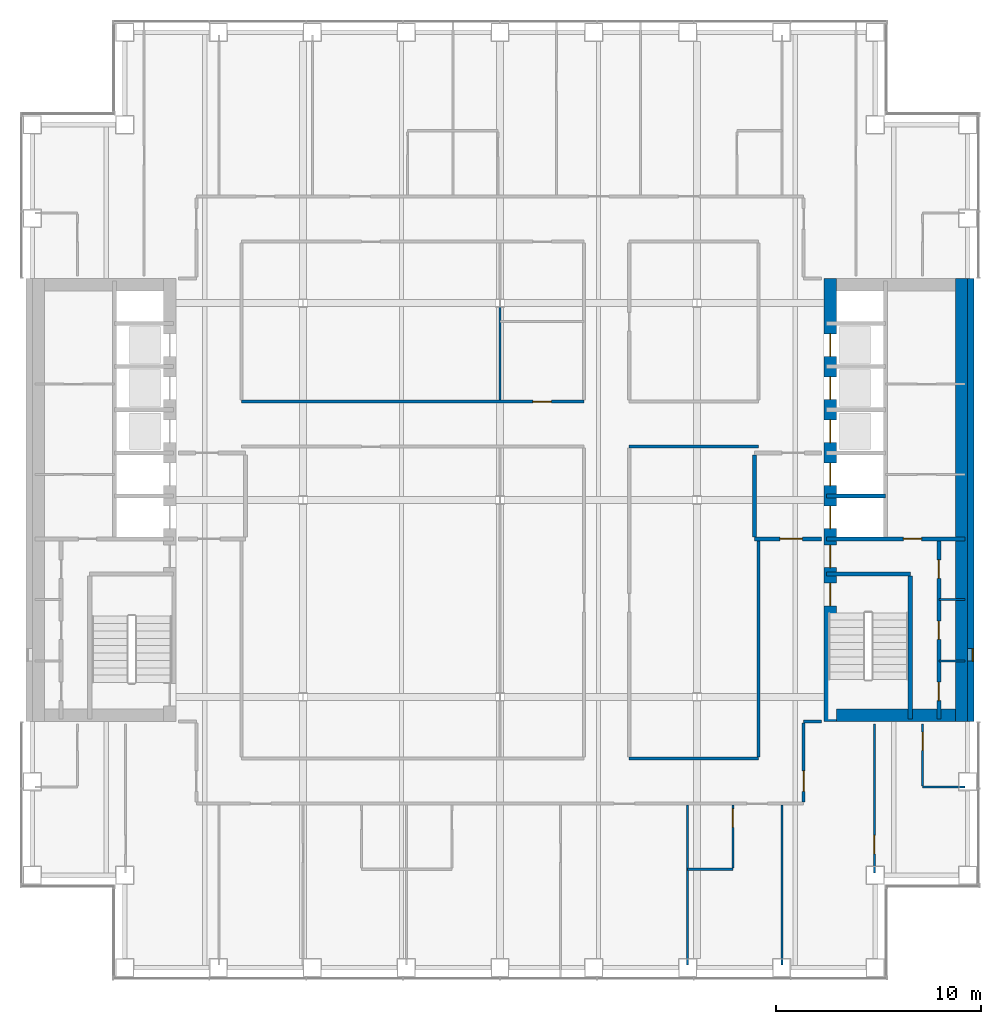
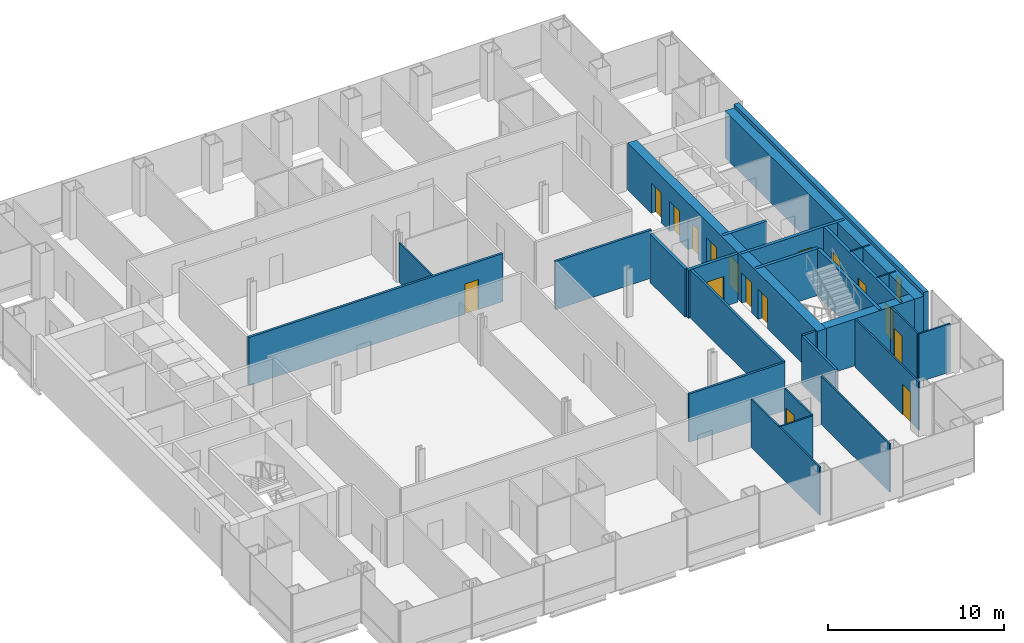
# One storey, part 12 of 16: 27 walls, 17 doors, 1 window, 18 openings.
"""IFC4 building model written with IfcOpenShell, lengths in metres."""

import ifcopenshell
import ifcopenshell.guid

model = None  # the IFC model being written
_history = None  # IfcOwnerHistory: only IFC2X3 demands one
_inside = {}  # id of a spatial element -> (the spatial element, [elements in it])
_under = {}  # id of a project, library or spatial element -> (it, [spatial elements below it])
_declared = {}  # id of a project -> (the project, [libraries it declares])
_typed = {}  # id of a type object -> (the type object, [elements of that type])
_made_of = {}  # id of a material, layer set ... -> (it, [elements and type objects made of it])


def new_model(schema):
    """Start an empty IFC model of exactly this schema.

    Asked for "IFC4X3", IfcOpenShell would pick the latest addendum, in which some entities
    have other attributes; the version numbers below select the first issue.
    IFC2X3 requires an IfcOwnerHistory on every rooted entity: one is made here for all.
    """
    global model, _history
    if schema == "IFC4X3":
        model = ifcopenshell.file(schema_version=(4, 3, 0, 0))
    else:
        model = ifcopenshell.file(schema=schema)
    _inside.clear()
    _under.clear()
    _declared.clear()
    _typed.clear()
    _made_of.clear()
    _history = None
    if model.schema == "IFC2X3":
        org = make("IfcOrganization", Name="unknown")
        user = make(
            "IfcPersonAndOrganization",
            ThePerson=make("IfcPerson", FamilyName="unknown"),
            TheOrganization=org,
        )
        app = make(
            "IfcApplication",
            ApplicationDeveloper=org,
            Version="unknown",
            ApplicationFullName="unknown",
            ApplicationIdentifier="unknown",
        )
        _history = make(
            "IfcOwnerHistory",
            OwningUser=user,
            OwningApplication=app,
            ChangeAction="ADDED",
            CreationDate=0,
        )
    return model


def make(cls, **values):
    """One entity of the class cls with the attributes given. An attribute that is None is left unset."""
    return model.create_entity(
        cls, **{name: value for name, value in values.items() if value is not None}
    )


def rooted(cls, **values):
    """An entity with a GlobalId (a new one), such as an element, a storey or a relation."""
    return make(cls, GlobalId=ifcopenshell.guid.new(), OwnerHistory=_history, **values)


def si_unit(unit_type, name, prefix=None):
    """IfcSIUnit, for example si_unit("LENGTHUNIT", "METRE", prefix="MILLI")."""
    return make("IfcSIUnit", UnitType=unit_type, Prefix=prefix, Name=name)


def assignment(units):
    """IfcUnitAssignment: the units of a project."""
    return None if units is None else make("IfcUnitAssignment", Units=units)


def point(xyz):
    """IfcCartesianPoint."""
    return None if xyz is None else make("IfcCartesianPoint", Coordinates=xyz)


def direction(xyz):
    """IfcDirection."""
    return None if xyz is None else make("IfcDirection", DirectionRatios=xyz)


def frame(location, z_axis=None, x_axis=None):
    """IfcAxis2Placement3D, a coordinate frame: its origin and axes. An axis left out is left unset."""
    return make(
        "IfcAxis2Placement3D",
        Location=point(location),
        Axis=direction(z_axis),
        RefDirection=direction(x_axis),
    )


def frame_2d(location, x_axis=None):
    """IfcAxis2Placement2D, a coordinate frame in the plane: its origin and x axis."""
    return make(
        "IfcAxis2Placement2D", Location=point(location), RefDirection=direction(x_axis)
    )


def origin():
    """The frame at (0, 0, 0) with its axes left unset."""
    return frame((0.0, 0.0, 0.0))


def place(relative_to, where):
    """IfcLocalPlacement: puts the frame where relative to a parent placement (None: the world)."""
    return make(
        "IfcLocalPlacement", PlacementRelTo=relative_to, RelativePlacement=where
    )


def context(
    kind, dimensions, precision=None, world=None, true_north=None, identifier=None
):
    """IfcGeometricRepresentationContext, for example the 3D "Model" context."""
    return make(
        "IfcGeometricRepresentationContext",
        ContextIdentifier=identifier,
        ContextType=kind,
        CoordinateSpaceDimension=dimensions,
        Precision=precision,
        WorldCoordinateSystem=world,
        TrueNorth=true_north,
    )


def subcontext(parent, identifier, kind, view, scale=None):
    """IfcGeometricRepresentationSubContext, for example "Body" below "Model"."""
    return make(
        "IfcGeometricRepresentationSubContext",
        ContextIdentifier=identifier,
        ContextType=kind,
        ParentContext=parent,
        TargetScale=scale,
        TargetView=view,
    )


def project(units=None, contexts=None):
    """IfcProject with its units and contexts."""
    return rooted(
        "IfcProject",
        Name="project",
        RepresentationContexts=contexts,
        UnitsInContext=assignment(units),
    )


def spatial(cls, under=None, at=None, **own):
    """A site, building, storey or space (cls), placed at a placement, below another one or the project."""
    s = rooted(cls, ObjectPlacement=at, **own)
    if under is not None:
        _under.setdefault(under.id(), (under, []))[1].append(s)
    return s


def profile(cls, at=None, kind="AREA", **sizes):
    """A parametric profile (cls). Its sizes go by their IFC names, for example OverallWidth=200.0."""
    return make(cls, ProfileType=kind, Position=at, **sizes)


def rectangle(**sizes):
    """IfcRectangleProfileDef."""
    return profile("IfcRectangleProfileDef", **sizes)


def extrude(swept, where, along, depth):
    """IfcExtrudedAreaSolid: the profile swept, set in the frame where, extruded along a direction by depth."""
    return make(
        "IfcExtrudedAreaSolid",
        SweptArea=swept,
        Position=where,
        ExtrudedDirection=direction(along),
        Depth=depth,
    )


def shape(context_of_items, identifier, shape_type, items):
    """IfcShapeRepresentation: the items that make up one representation, for example the "Body"."""
    return make(
        "IfcShapeRepresentation",
        ContextOfItems=context_of_items,
        RepresentationIdentifier=identifier,
        RepresentationType=shape_type,
        Items=items,
    )


def material(Name=None, Category=None):
    """IfcMaterial."""
    return make("IfcMaterial", Name=Name, Category=Category)


def layer(
    of_material, thickness, ventilated=None, Name=None, Category=None, Priority=None
):
    """IfcMaterialLayer: one layer of a wall or slab, of a material (None: an air gap)."""
    return make(
        "IfcMaterialLayer",
        Material=of_material,
        LayerThickness=thickness,
        IsVentilated=ventilated,
        Name=Name,
        Category=Category,
        Priority=Priority,
    )


def layer_set(layers, Name=None):
    """IfcMaterialLayerSet."""
    return make("IfcMaterialLayerSet", MaterialLayers=layers, LayerSetName=Name)


def made_of(thing, what):
    """Note that an element or type object is made of a material, layer set ...; save() writes the relation."""
    if what is not None:
        _made_of.setdefault(what.id(), (what, []))[1].append(thing)
    return thing


def type_object(cls, material=None, **own):
    """A type object (cls), such as IfcWallType, which elements share."""
    return made_of(rooted(cls, **own), material)


def element(
    cls,
    number,
    at=None,
    inside=None,
    cuts=None,
    type_object=None,
    material=None,
    context=None,
    identifier="Body",
    shape_type=None,
    held_by="IfcProductDefinitionShape",
    body=None,
    shapes=None,
    **own,
):
    """One element of the class cls, such as IfcWall. Its Tag is "e" and its number.

    at: its placement. inside: the storey or other place that contains it. cuts: it is an
    opening in that element (IfcRelVoidsElement). A single representation is given by context,
    identifier, shape_type and body (its items); several are given by shapes. held_by: the class
    of the entity that holds the representations. save() writes the other relations.
    """
    e = rooted(cls, Tag="e%d" % number, ObjectPlacement=at, **own)
    if body is not None:
        shapes = [shape(context, identifier, shape_type, body)]
    if shapes is not None:
        e.Representation = make(held_by, Representations=shapes)
    if inside is not None:
        _inside.setdefault(inside.id(), (inside, []))[1].append(e)
    if cuts is not None:
        rooted(
            "IfcRelVoidsElement", RelatingBuildingElement=cuts, RelatedOpeningElement=e
        )
    if type_object is not None:
        _typed.setdefault(type_object.id(), (type_object, []))[1].append(e)
    return made_of(e, material)


def fill(opening, filler):
    """IfcRelFillsElement: the door or window that sits in an opening."""
    return rooted(
        "IfcRelFillsElement",
        RelatingOpeningElement=opening,
        RelatedBuildingElement=filler,
    )


def aggregate(whole, parts):
    """IfcRelAggregates: a whole, such as a stair, and the parts it consists of."""
    return rooted("IfcRelAggregates", RelatingObject=whole, RelatedObjects=parts)


def save(model, path):
    """Write the relations noted so far, then the file.

    IfcRelAggregates (storeys below a building ...), IfcRelContainedInSpatialStructure (elements
    in a storey), IfcRelDefinesByType, IfcRelAssociatesMaterial and IfcRelDeclares: one each for
    every whole, place, type object, material and project.
    """
    for whole, parts in _under.values():
        aggregate(whole, parts)
    for where, things in _inside.values():
        rooted(
            "IfcRelContainedInSpatialStructure",
            RelatedElements=things,
            RelatingStructure=where,
        )
    for kind, things in _typed.values():
        rooted("IfcRelDefinesByType", RelatedObjects=things, RelatingType=kind)
    for what, things in _made_of.values():
        rooted("IfcRelAssociatesMaterial", RelatedObjects=things, RelatingMaterial=what)
    for by, libraries in _declared.values():
        rooted("IfcRelDeclares", RelatingContext=by, RelatedDefinitions=libraries)
    model.write(path)


model = new_model("IFC4")

# Units and contexts
model_context = context("Model", 3, precision=1e-05, world=origin(), true_north=direction((0.0, 1.0)))
body_context = subcontext(model_context, "Body", "Model", "MODEL_VIEW")
ifc_project = project(units=[si_unit("LENGTHUNIT", "METRE"), si_unit("AREAUNIT", "SQUARE_METRE"), si_unit("VOLUMEUNIT", "CUBIC_METRE"), si_unit("PLANEANGLEUNIT", "RADIAN"), si_unit("MASSUNIT", "GRAM", prefix="KILO")], contexts=[model_context])

# Site, building, storey
site_placement = place(None, origin())
site = spatial("IfcSite", under=ifc_project, at=site_placement, CompositionType="ELEMENT")
building_placement = place(site_placement, origin())
building = spatial("IfcBuilding", under=site, at=building_placement, Name="Cobrizo Arcos Hotel Tower", CompositionType="ELEMENT")
storey_placement = place(building_placement, frame((0.0, 0.0, 113.5)))
storey = spatial("IfcBuildingStorey", under=building, at=storey_placement, Name="L28", CompositionType="ELEMENT", Elevation=113.5)

# Walls
ifc_material_1 = material(Name="Gypsum board partition")
ifc_layer_1 = layer(ifc_material_1, 0.14990234375)
ifc_layer_set_1 = layer_set([ifc_layer_1], Name="Corridor wall EI 60 150")
wall_type_1 = type_object("IfcWallType", Name="Corridor wall EI 60 150", PredefinedType="PARTITIONING", material=ifc_layer_set_1)
wall_1_placement = place(storey_placement, frame((6.300048828125, -12.60009765625, 0.0), z_axis=(0.0, 0.0, 1.0), x_axis=(1.0, 0.0, 0.0)))
element("IfcWall", 1, at=wall_1_placement, inside=storey, type_object=wall_type_1, Name="Partition 007", PredefinedType="PARTITIONING", context=body_context, shape_type="SweptSolid", body=[
    extrude(rectangle(XDim=6.300048828125, YDim=0.14990234375, at=frame_2d((3.14990234375, 0.0))), origin(), (0.0, 0.0, 1.0), 3.35009765625),
])
wall_2_placement = place(storey_placement, frame((14.800048828125, -10.800048828125, 0.0), z_axis=(0.0, 0.0, 1.0), x_axis=(1.0, 0.0, 0.0)))
element("IfcWall", 2, at=wall_2_placement, inside=storey, type_object=wall_type_1, Name="Partition 009", PredefinedType="PARTITIONING", context=body_context, shape_type="SweptSolid", body=[
    extrude(rectangle(XDim=0.8798828125, YDim=0.14990234375, at=frame_2d((0.43994140625, 0.0))), origin(), (0.0, 0.0, 1.0), 3.35009765625),
])
wall_3_placement = place(storey_placement, frame((6.300048828125, 2.60009765625, 0.0), z_axis=(0.0, 0.0, 1.0), x_axis=(1.0, 0.0, 0.0)))
element("IfcWall", 3, at=wall_3_placement, inside=storey, type_object=wall_type_1, Name="Partition 029", PredefinedType="PARTITIONING", context=body_context, shape_type="SweptSolid", body=[
    extrude(rectangle(XDim=6.300048828125, YDim=0.14990234375, at=frame_2d((3.14990234375, 0.0))), origin(), (0.0, 0.0, 1.0), 3.35009765625),
])

# Wall, opening, door
wall_4_placement = place(storey_placement, frame((-12.60009765625, 4.800048828125, 0.0), z_axis=(0.0, 0.0, 1.0), x_axis=(1.0, 0.0, 0.0)))
wall_4 = element("IfcWall", 4, at=wall_4_placement, inside=storey, type_object=wall_type_1, Name="Partition 032", PredefinedType="PARTITIONING", context=body_context, shape_type="SweptSolid", body=[
    extrude(rectangle(XDim=16.7001953125, YDim=0.14990234375, at=frame_2d((8.35009765625, 0.0))), origin(), (0.0, 0.0, 1.0), 3.35009765625),
])
opening_1_placement = place(wall_4_placement, frame((14.199951171875, 0.0, 0.0)))
opening_1 = element("IfcOpeningElement", 5, at=opening_1_placement, cuts=wall_4, Name="Opening ED-13", PredefinedType="OPENING", context=body_context, shape_type="SweptSolid", body=[
    extrude(rectangle(XDim=0.89990234375, YDim=2.10009765625, at=frame_2d((0.449951171875, 1.050048828125))), frame((0.0, 0.0869140625, 0.0), z_axis=(0.0, -1.0, 0.0), x_axis=(1.0, 0.0, 0.0)), (0.0, 0.0, 1.0), 0.173828125),
])
ifc_material_2 = material(Name="Timber door leaf", Category="wood")
door_type_1 = type_object("IfcDoorType", Name="En-suite door 900x2100", OperationType="SINGLE_SWING_LEFT", PredefinedType="DOOR", material=ifc_material_2)
door_1_placement = place(opening_1_placement, origin())
door_1 = element("IfcDoor", 6, at=door_1_placement, inside=storey, type_object=door_type_1, Name="Door ED-13", OperationType="SINGLE_SWING_RIGHT", OverallHeight=2.10009765625, OverallWidth=0.89990234375, PredefinedType="DOOR", context=body_context, shape_type="SweptSolid", body=[
    extrude(rectangle(XDim=0.89990234375, YDim=2.10009765625, at=frame_2d((0.449951171875, 1.050048828125))), frame((0.0, 0.02490234375, 0.0), z_axis=(0.0, -1.0, 0.0), x_axis=(1.0, 0.0, 0.0)), (0.0, 0.0, 1.0), 0.050048828125),
])
fill(opening_1, door_1)

# Wall
wall_5_placement = place(storey_placement, frame((12.60009765625, -12.52490234375, 0.0), z_axis=(0.0, 0.0, 1.0), x_axis=(0.0, 1.0, 0.0)))
element("IfcWall", 7, at=wall_5_placement, inside=storey, type_object=wall_type_1, Name="Partition 094", PredefinedType="PARTITIONING", context=body_context, shape_type="SweptSolid", body=[
    extrude(rectangle(XDim=10.52490234375, YDim=0.14990234375, at=frame_2d((5.262451171875, 0.0))), origin(), (0.0, 0.0, 1.0), 3.35009765625),
])

# Wall, opening, door
wall_6_placement = place(storey_placement, frame((14.800048828125, -14.72509765625, 0.0), z_axis=(0.0, 0.0, 1.0), x_axis=(0.0, 1.0, 0.0)))
wall_6 = element("IfcWall", 8, at=wall_6_placement, inside=storey, type_object=wall_type_1, Name="Partition 098", PredefinedType="PARTITIONING", context=body_context, shape_type="SweptSolid", body=[
    extrude(rectangle(XDim=3.85009765625, YDim=0.14990234375, at=frame_2d((1.925048828125, 0.0))), origin(), (0.0, 0.0, 1.0), 3.35009765625),
])
opening_2_placement = place(wall_6_placement, frame((0.52490234375, 0.0, 0.0)))
opening_2 = element("IfcOpeningElement", 9, at=opening_2_placement, cuts=wall_6, Name="Opening GD-09", PredefinedType="OPENING", context=body_context, shape_type="SweptSolid", body=[
    extrude(rectangle(XDim=1.0, YDim=2.10009765625, at=frame_2d((0.5, 1.050048828125))), frame((0.0, 0.0869140625, 0.0), z_axis=(0.0, -1.0, 0.0), x_axis=(1.0, 0.0, 0.0)), (0.0, 0.0, 1.0), 0.173828125),
])
door_type_2 = type_object("IfcDoorType", Name="Guest room door FD30S 1000x2100", OperationType="SINGLE_SWING_LEFT", PredefinedType="DOOR", material=ifc_material_2)
door_2_placement = place(opening_2_placement, origin())
door_2 = element("IfcDoor", 10, at=door_2_placement, inside=storey, type_object=door_type_2, Name="Door GD-09", OperationType="SINGLE_SWING_LEFT", OverallHeight=2.10009765625, OverallWidth=1.0, PredefinedType="DOOR", context=body_context, shape_type="SweptSolid", body=[
    extrude(rectangle(XDim=1.0, YDim=2.10009765625, at=frame_2d((0.5, 1.050048828125))), frame((0.0, 0.02490234375, 0.0), z_axis=(0.0, -1.0, 0.0), x_axis=(1.0, 0.0, 0.0)), (0.0, 0.0, 1.0), 0.050048828125),
])
fill(opening_2, door_2)

# Wall, opening, window
ifc_material_3 = material(Name="Aluminium composite panel pale metal", Category="aluminium")
ifc_layer_2 = layer(ifc_material_3, 0.300048828125)
ifc_layer_set_2 = layer_set([ifc_layer_2], Name="EW-1 insulated panel wall 300")
wall_type_2 = type_object("IfcWallType", Name="EW-1 insulated panel wall 300", PredefinedType="SOLIDWALL", material=ifc_layer_set_2)
wall_7_placement = place(storey_placement, frame((22.949951171875, -10.800048828125, 0.0), z_axis=(0.0, 0.0, 1.0), x_axis=(0.0, 1.0, 0.0)))
wall_7 = element("IfcWall", 11, at=wall_7_placement, inside=storey, type_object=wall_type_2, Name="Core face wall L28 E", PredefinedType="SOLIDWALL", context=body_context, shape_type="SweptSolid", body=[
    extrude(rectangle(XDim=21.60009765625, YDim=0.300048828125, at=frame_2d((10.800048828125, 0.0))), origin(), (0.0, 0.0, 1.0), 3.5),
])
opening_3_placement = place(wall_7_placement, frame((2.949951171875, 0.0, 1.0)))
opening_3 = element("IfcOpeningElement", 12, at=opening_3_placement, cuts=wall_7, Name="Opening W-57", PredefinedType="OPENING", context=body_context, shape_type="SweptSolid", body=[
    extrude(rectangle(XDim=0.60009765625, YDim=1.5, at=frame_2d((0.300048828125, 0.75))), frame((0.0, 0.162109375, 0.0), z_axis=(0.0, -1.0, 0.0), x_axis=(1.0, 0.0, 0.0)), (0.0, 0.0, 1.0), 0.323974609375),
])
ifc_material_4 = material(Name="Aluminium 6063-T6 and clear laminated glass", Category="aluminium")
window_type = type_object("IfcWindowType", Name="W-C1 core stair slot window 600x1500", PartitioningType="SINGLE_PANEL", PredefinedType="WINDOW", material=ifc_material_4)
window_placement = place(opening_3_placement, origin())
window = element("IfcWindow", 13, at=window_placement, inside=storey, type_object=window_type, Name="Core face wall L28 E window W-57", OverallHeight=1.5, OverallWidth=0.60009765625, PartitioningType="SINGLE_PANEL", PredefinedType="WINDOW", context=body_context, shape_type="SweptSolid", body=[
    extrude(rectangle(XDim=0.60009765625, YDim=1.5, at=frame_2d((0.300048828125, 0.75))), frame((0.0, -0.06005859375, 0.0), z_axis=(0.0, -1.0, 0.0), x_axis=(1.0, 0.0, 0.0)), (0.0, 0.0, 1.0), 0.06005859375),
])
fill(opening_3, window)

# Walls
ifc_layer_3 = layer(ifc_material_1, 0.10009765625)
ifc_layer_set_3 = layer_set([ifc_layer_3], Name="Partition EI 30 100")
wall_type_3 = type_object("IfcWallType", Name="Partition EI 30 100", PredefinedType="PARTITIONING", material=ifc_layer_set_3)
wall_8_placement = place(storey_placement, frame((9.14990234375, -18.0, 0.0), z_axis=(0.0, 0.0, 1.0), x_axis=(1.0, 0.0, 0.0)))
element("IfcWall", 14, at=wall_8_placement, inside=storey, type_object=wall_type_3, Name="Partition 002", PredefinedType="PARTITIONING", context=body_context, shape_type="SweptSolid", body=[
    extrude(rectangle(XDim=2.2001953125, YDim=0.10009765625, at=frame_2d((1.10009765625, 0.0))), origin(), (0.0, 0.0, 1.0), 3.35009765625),
])
wall_9_placement = place(storey_placement, frame((20.60009765625, -14.0, 0.0), z_axis=(0.0, 0.0, 1.0), x_axis=(1.0, 0.0, 0.0)))
element("IfcWall", 15, at=wall_9_placement, inside=storey, type_object=wall_type_3, Name="Partition 005", PredefinedType="PARTITIONING", context=body_context, shape_type="SweptSolid", body=[
    extrude(rectangle(XDim=2.079833984375, YDim=0.10009765625, at=frame_2d((1.0400390625, 0.0))), origin(), (0.0, 0.0, 1.0), 3.35009765625),
])
for number, where, z_axis, x_axis, name in (
    (16, (21.39990234375, -7.85009765625, 0.0), (0.0, 0.0, 1.0), (1.0, 0.0, 0.0), "Partition 011"),
    (17, (21.39990234375, -4.85009765625, 0.0), (0.0, 0.0, 1.0), (1.0, 0.0, 0.0), "Partition 013"),
):
    element("IfcWall", number, at=place(storey_placement, frame(where, z_axis=z_axis, x_axis=x_axis)), inside=storey, type_object=wall_type_3, Name=name, PredefinedType="PARTITIONING", context=body_context, shape_type="SweptSolid", body=[
        extrude(rectangle(XDim=1.280029296875, YDim=0.10009765625, at=frame_2d((0.64013671875, 0.0))), origin(), (0.0, 0.0, 1.0), 3.25),
    ])
wall_10_placement = place(storey_placement, frame((0.0, 4.875, 0.0), z_axis=(0.0, 0.0, 1.0), x_axis=(0.0, 1.0, 0.0)))
element("IfcWall", 18, at=wall_10_placement, inside=storey, type_object=wall_type_3, Name="Partition 080", PredefinedType="PARTITIONING", context=body_context, shape_type="SweptSolid", body=[
    extrude(rectangle(XDim=4.52587890625, YDim=0.10009765625, at=frame_2d((2.262939453125, 0.0))), origin(), (0.0, 0.0, 1.0), 2.72802734375),
])
wall_11_placement = place(storey_placement, frame((9.14990234375, -22.679931640625, 0.0), z_axis=(0.0, 0.0, 1.0), x_axis=(0.0, 1.0, 0.0)))
element("IfcWall", 19, at=wall_11_placement, inside=storey, type_object=wall_type_3, Name="Partition 090", PredefinedType="PARTITIONING", context=body_context, shape_type="SweptSolid", body=[
    extrude(rectangle(XDim=7.804931640625, YDim=0.10009765625, at=frame_2d((3.90234375, 0.0))), origin(), (0.0, 0.0, 1.0), 3.35009765625),
])

# Wall, opening, door
wall_12_placement = place(storey_placement, frame((11.35009765625, -17.949951171875, 0.0), z_axis=(0.0, 0.0, 1.0), x_axis=(0.0, 1.0, 0.0)))
wall_12 = element("IfcWall", 20, at=wall_12_placement, inside=storey, type_object=wall_type_3, Name="Partition 091", PredefinedType="PARTITIONING", context=body_context, shape_type="SweptSolid", body=[
    extrude(rectangle(XDim=3.074951171875, YDim=0.10009765625, at=frame_2d((1.53759765625, 0.0))), origin(), (0.0, 0.0, 1.0), 3.35009765625),
])
opening_4_placement = place(wall_12_placement, frame((1.99609375, 0.0, 0.0)))
opening_4 = element("IfcOpeningElement", 21, at=opening_4_placement, cuts=wall_12, Name="Opening ED-08", PredefinedType="OPENING", context=body_context, shape_type="SweptSolid", body=[
    extrude(rectangle(XDim=0.89990234375, YDim=2.10009765625, at=frame_2d((0.449951171875, 1.050048828125))), frame((0.0, 0.06201171875, 0.0), z_axis=(0.0, -1.0, 0.0), x_axis=(1.0, 0.0, 0.0)), (0.0, 0.0, 1.0), 0.1240234375),
])
door_3_placement = place(opening_4_placement, origin())
door_3 = element("IfcDoor", 22, at=door_3_placement, inside=storey, type_object=door_type_1, Name="Door ED-08", OperationType="SINGLE_SWING_RIGHT", OverallHeight=2.10009765625, OverallWidth=0.89990234375, PredefinedType="DOOR", context=body_context, shape_type="SweptSolid", body=[
    extrude(rectangle(XDim=0.89990234375, YDim=2.10009765625, at=frame_2d((0.449951171875, 1.050048828125))), frame((0.0, 0.02490234375, 0.0), z_axis=(0.0, -1.0, 0.0), x_axis=(1.0, 0.0, 0.0)), (0.0, 0.0, 1.0), 0.050048828125),
])
fill(opening_4, door_3)

# Wall
wall_13_placement = place(storey_placement, frame((13.75, -22.679931640625, 0.0), z_axis=(0.0, 0.0, 1.0), x_axis=(0.0, 1.0, 0.0)))
element("IfcWall", 23, at=wall_13_placement, inside=storey, type_object=wall_type_3, Name="Partition 096", PredefinedType="PARTITIONING", context=body_context, shape_type="SweptSolid", body=[
    extrude(rectangle(XDim=7.804931640625, YDim=0.10009765625, at=frame_2d((3.90234375, 0.0))), origin(), (0.0, 0.0, 1.0), 3.35009765625),
])

# Wall, opening, door
wall_14_placement = place(storey_placement, frame((18.25, -18.19091796875, 0.0), z_axis=(0.0, 0.0, 1.0), x_axis=(0.0, 1.0, 0.0)))
wall_14 = element("IfcWall", 24, at=wall_14_placement, inside=storey, type_object=wall_type_3, Name="Partition 101", PredefinedType="PARTITIONING", context=body_context, shape_type="SweptSolid", body=[
    extrude(rectangle(XDim=7.27099609375, YDim=0.10009765625, at=frame_2d((3.635498046875, 0.0))), origin(), (0.0, 0.0, 1.0), 3.35009765625),
])
opening_5_placement = place(wall_14_placement, frame((0.94091796875, 0.0, 0.0)))
opening_5 = element("IfcOpeningElement", 25, at=opening_5_placement, cuts=wall_14, Name="Opening RD-17", PredefinedType="OPENING", context=body_context, shape_type="SweptSolid", body=[
    extrude(rectangle(XDim=0.89990234375, YDim=2.10009765625, at=frame_2d((0.449951171875, 1.050048828125))), frame((0.0, 0.06201171875, 0.0), z_axis=(0.0, -1.0, 0.0), x_axis=(1.0, 0.0, 0.0)), (0.0, 0.0, 1.0), 0.1240234375),
])
door_type_3 = type_object("IfcDoorType", Name="Room door FD30 900x2100", OperationType="SINGLE_SWING_LEFT", PredefinedType="DOOR", material=ifc_material_2)
door_4_placement = place(opening_5_placement, origin())
door_4 = element("IfcDoor", 26, at=door_4_placement, inside=storey, type_object=door_type_3, Name="Door RD-17", OperationType="SINGLE_SWING_RIGHT", OverallHeight=2.10009765625, OverallWidth=0.89990234375, PredefinedType="DOOR", context=body_context, shape_type="SweptSolid", body=[
    extrude(rectangle(XDim=0.89990234375, YDim=2.10009765625, at=frame_2d((0.449951171875, 1.050048828125))), frame((0.0, 0.02490234375, 0.0), z_axis=(0.0, -1.0, 0.0), x_axis=(1.0, 0.0, 0.0)), (0.0, 0.0, 1.0), 0.050048828125),
])
fill(opening_5, door_4)

wall_15_placement = place(storey_placement, frame((20.60009765625, -13.949951171875, 0.0), z_axis=(0.0, 0.0, 1.0), x_axis=(0.0, 1.0, 0.0)))
wall_15 = element("IfcWall", 27, at=wall_15_placement, inside=storey, type_object=wall_type_3, Name="Partition 104", PredefinedType="PARTITIONING", context=body_context, shape_type="SweptSolid", body=[
    extrude(rectangle(XDim=3.030029296875, YDim=0.10009765625, at=frame_2d((1.51513671875, 0.0))), origin(), (0.0, 0.0, 1.0), 3.35009765625),
])
opening_6_placement = place(wall_15_placement, frame((1.739990234375, 0.0, 0.0)))
opening_6 = element("IfcOpeningElement", 28, at=opening_6_placement, cuts=wall_15, Name="Opening ED-11", PredefinedType="OPENING", context=body_context, shape_type="SweptSolid", body=[
    extrude(rectangle(XDim=0.89990234375, YDim=2.10009765625, at=frame_2d((0.449951171875, 1.050048828125))), frame((0.0, 0.06201171875, 0.0), z_axis=(0.0, -1.0, 0.0), x_axis=(1.0, 0.0, 0.0)), (0.0, 0.0, 1.0), 0.1240234375),
])
door_5_placement = place(opening_6_placement, origin())
door_5 = element("IfcDoor", 29, at=door_5_placement, inside=storey, type_object=door_type_1, Name="Door ED-11", OperationType="SINGLE_SWING_LEFT", OverallHeight=2.10009765625, OverallWidth=0.89990234375, PredefinedType="DOOR", context=body_context, shape_type="SweptSolid", body=[
    extrude(rectangle(XDim=0.89990234375, YDim=2.10009765625, at=frame_2d((0.449951171875, 1.050048828125))), frame((0.0, 0.02490234375, 0.0), z_axis=(0.0, -1.0, 0.0), x_axis=(1.0, 0.0, 0.0)), (0.0, 0.0, 1.0), 0.050048828125),
])
fill(opening_6, door_5)

# Wall, openings, doors
ifc_material_5 = material(Name="Concrete f'c 50 MPa", Category="concrete")
ifc_layer_4 = layer(ifc_material_5, 0.60009765625)
ifc_layer_set_4 = layer_set([ifc_layer_4], Name="RC core wall 600 f'c 50")
wall_type_4 = type_object("IfcWallType", Name="RC core wall 600 f'c 50", PredefinedType="SHEAR", material=ifc_layer_set_4)
wall_16_placement = place(storey_placement, frame((16.10009765625, -10.800048828125, 0.0), z_axis=(0.0, 0.0, 1.0), x_axis=(0.0, 1.0, 0.0)))
wall_16 = element("IfcWall", 30, at=wall_16_placement, inside=storey, type_object=wall_type_4, Name="Core wall CW2, east core, inner face, L28", PredefinedType="SHEAR", context=body_context, shape_type="SweptSolid", body=[
    extrude(rectangle(XDim=21.60009765625, YDim=0.60009765625, at=frame_2d((10.800048828125, 0.0))), origin(), (0.0, 0.0, 1.0), 3.25),
])
opening_7_placement = place(wall_16_placement, frame((9.39990234375, 0.0, 0.0)))
opening_7 = element("IfcOpeningElement", 31, at=opening_7_placement, cuts=wall_16, Name="Opening LD-06", PredefinedType="OPENING", context=body_context, shape_type="SweptSolid", body=[
    extrude(rectangle(XDim=1.10009765625, YDim=2.10009765625, at=frame_2d((0.550048828125, 1.050048828125))), frame((0.0, 0.31201171875, 0.0), z_axis=(0.0, -1.0, 0.0), x_axis=(1.0, 0.0, 0.0)), (0.0, 0.0, 1.0), 0.6240234375),
])
opening_8_placement = place(wall_16_placement, frame((11.5, 0.0, 0.0)))
opening_8 = element("IfcOpeningElement", 32, at=opening_8_placement, cuts=wall_16, Name="Opening LD-07", PredefinedType="OPENING", context=body_context, shape_type="SweptSolid", body=[
    extrude(rectangle(XDim=1.10009765625, YDim=2.10009765625, at=frame_2d((0.550048828125, 1.050048828125))), frame((0.0, 0.31201171875, 0.0), z_axis=(0.0, -1.0, 0.0), x_axis=(1.0, 0.0, 0.0)), (0.0, 0.0, 1.0), 0.6240234375),
])
opening_9_placement = place(wall_16_placement, frame((13.60009765625, 0.0, 0.0)))
opening_9 = element("IfcOpeningElement", 33, at=opening_9_placement, cuts=wall_16, Name="Opening LD-08", PredefinedType="OPENING", context=body_context, shape_type="SweptSolid", body=[
    extrude(rectangle(XDim=1.10009765625, YDim=2.10009765625, at=frame_2d((0.550048828125, 1.050048828125))), frame((0.0, 0.31201171875, 0.0), z_axis=(0.0, -1.0, 0.0), x_axis=(1.0, 0.0, 0.0)), (0.0, 0.0, 1.0), 0.6240234375),
])
opening_10_placement = place(wall_16_placement, frame((15.699951171875, 0.0, 0.0)))
opening_10 = element("IfcOpeningElement", 34, at=opening_10_placement, cuts=wall_16, Name="Opening LD-09", PredefinedType="OPENING", context=body_context, shape_type="SweptSolid", body=[
    extrude(rectangle(XDim=1.10009765625, YDim=2.10009765625, at=frame_2d((0.550048828125, 1.050048828125))), frame((0.0, 0.31201171875, 0.0), z_axis=(0.0, -1.0, 0.0), x_axis=(1.0, 0.0, 0.0)), (0.0, 0.0, 1.0), 0.6240234375),
])
opening_11_placement = place(wall_16_placement, frame((17.800048828125, 0.0, 0.0)))
opening_11 = element("IfcOpeningElement", 35, at=opening_11_placement, cuts=wall_16, Name="Opening LD-10", PredefinedType="OPENING", context=body_context, shape_type="SweptSolid", body=[
    extrude(rectangle(XDim=1.10009765625, YDim=2.10009765625, at=frame_2d((0.550048828125, 1.050048828125))), frame((0.0, 0.31201171875, 0.0), z_axis=(0.0, -1.0, 0.0), x_axis=(1.0, 0.0, 0.0)), (0.0, 0.0, 1.0), 0.6240234375),
])
opening_12_placement = place(wall_16_placement, frame((5.64208984375, 0.0, 0.0)))
opening_12 = element("IfcOpeningElement", 36, at=opening_12_placement, cuts=wall_16, Name="Opening SD-02", PredefinedType="OPENING", context=body_context, shape_type="SweptSolid", body=[
    extrude(rectangle(XDim=1.10009765625, YDim=2.10009765625, at=frame_2d((0.550048828125, 1.050048828125))), frame((0.0, 0.31201171875, 0.0), z_axis=(0.0, -1.0, 0.0), x_axis=(1.0, 0.0, 0.0)), (0.0, 0.0, 1.0), 0.6240234375),
])
opening_13_placement = place(wall_16_placement, frame((7.5, 0.0, 0.0)))
opening_13 = element("IfcOpeningElement", 37, at=opening_13_placement, cuts=wall_16, Name="Opening FD-04", PredefinedType="OPENING", context=body_context, shape_type="SweptSolid", body=[
    extrude(rectangle(XDim=1.10009765625, YDim=2.10009765625, at=frame_2d((0.550048828125, 1.050048828125))), frame((0.0, 0.31201171875, 0.0), z_axis=(0.0, -1.0, 0.0), x_axis=(1.0, 0.0, 0.0)), (0.0, 0.0, 1.0), 0.6240234375),
])
ifc_material_6 = material(Name="Steel door leaf", Category="steel")
door_type_4 = type_object("IfcDoorType", Name="Fire door FD60 1100x2100", OperationType="SINGLE_SWING_LEFT", PredefinedType="DOOR", material=ifc_material_6)
door_6_placement = place(opening_13_placement, origin())
door_6 = element("IfcDoor", 38, at=door_6_placement, inside=storey, type_object=door_type_4, Name="Door FD-04", OperationType="SINGLE_SWING_LEFT", OverallHeight=2.10009765625, OverallWidth=1.10009765625, PredefinedType="DOOR", context=body_context, shape_type="SweptSolid", body=[
    extrude(rectangle(XDim=1.10009765625, YDim=2.10009765625, at=frame_2d((0.550048828125, 1.050048828125))), frame((0.0, 0.02490234375, 0.0), z_axis=(0.0, -1.0, 0.0), x_axis=(1.0, 0.0, 0.0)), (0.0, 0.0, 1.0), 0.050048828125),
])
fill(opening_13, door_6)
door_type_5 = type_object("IfcDoorType", Name="Lift landing door 1100x2100", OperationType="SLIDING_TO_LEFT", PredefinedType="DOOR", material=ifc_material_6)
door_7_placement = place(opening_7_placement, origin())
door_7 = element("IfcDoor", 39, at=door_7_placement, inside=storey, type_object=door_type_5, Name="Lift landing door LD-06", OperationType="SLIDING_TO_LEFT", OverallHeight=2.10009765625, OverallWidth=1.10009765625, PredefinedType="DOOR", context=body_context, shape_type="SweptSolid", body=[
    extrude(rectangle(XDim=1.10009765625, YDim=2.10009765625, at=frame_2d((0.550048828125, 1.050048828125))), frame((0.0, 0.02490234375, 0.0), z_axis=(0.0, -1.0, 0.0), x_axis=(1.0, 0.0, 0.0)), (0.0, 0.0, 1.0), 0.050048828125),
])
fill(opening_7, door_7)
door_8_placement = place(opening_8_placement, origin())
door_8 = element("IfcDoor", 40, at=door_8_placement, inside=storey, type_object=door_type_5, Name="Lift landing door LD-07", OperationType="SLIDING_TO_LEFT", OverallHeight=2.10009765625, OverallWidth=1.10009765625, PredefinedType="DOOR", context=body_context, shape_type="SweptSolid", body=[
    extrude(rectangle(XDim=1.10009765625, YDim=2.10009765625, at=frame_2d((0.550048828125, 1.050048828125))), frame((0.0, 0.02490234375, 0.0), z_axis=(0.0, -1.0, 0.0), x_axis=(1.0, 0.0, 0.0)), (0.0, 0.0, 1.0), 0.050048828125),
])
fill(opening_8, door_8)
door_9_placement = place(opening_9_placement, origin())
door_9 = element("IfcDoor", 41, at=door_9_placement, inside=storey, type_object=door_type_5, Name="Lift landing door LD-08", OperationType="SLIDING_TO_LEFT", OverallHeight=2.10009765625, OverallWidth=1.10009765625, PredefinedType="DOOR", context=body_context, shape_type="SweptSolid", body=[
    extrude(rectangle(XDim=1.10009765625, YDim=2.10009765625, at=frame_2d((0.550048828125, 1.050048828125))), frame((0.0, 0.02490234375, 0.0), z_axis=(0.0, -1.0, 0.0), x_axis=(1.0, 0.0, 0.0)), (0.0, 0.0, 1.0), 0.050048828125),
])
fill(opening_9, door_9)
door_10_placement = place(opening_10_placement, origin())
door_10 = element("IfcDoor", 42, at=door_10_placement, inside=storey, type_object=door_type_5, Name="Lift landing door LD-09", OperationType="SLIDING_TO_LEFT", OverallHeight=2.10009765625, OverallWidth=1.10009765625, PredefinedType="DOOR", context=body_context, shape_type="SweptSolid", body=[
    extrude(rectangle(XDim=1.10009765625, YDim=2.10009765625, at=frame_2d((0.550048828125, 1.050048828125))), frame((0.0, 0.02490234375, 0.0), z_axis=(0.0, -1.0, 0.0), x_axis=(1.0, 0.0, 0.0)), (0.0, 0.0, 1.0), 0.050048828125),
])
fill(opening_10, door_10)
door_11_placement = place(opening_11_placement, origin())
door_11 = element("IfcDoor", 43, at=door_11_placement, inside=storey, type_object=door_type_5, Name="Lift landing door LD-10", OperationType="SLIDING_TO_LEFT", OverallHeight=2.10009765625, OverallWidth=1.10009765625, PredefinedType="DOOR", context=body_context, shape_type="SweptSolid", body=[
    extrude(rectangle(XDim=1.10009765625, YDim=2.10009765625, at=frame_2d((0.550048828125, 1.050048828125))), frame((0.0, 0.02490234375, 0.0), z_axis=(0.0, -1.0, 0.0), x_axis=(1.0, 0.0, 0.0)), (0.0, 0.0, 1.0), 0.050048828125),
])
fill(opening_11, door_11)
door_type_6 = type_object("IfcDoorType", Name="Stair door FD60S 1100x2100", OperationType="SINGLE_SWING_LEFT", PredefinedType="DOOR", material=ifc_material_6)
door_12_placement = place(opening_12_placement, origin())
door_12 = element("IfcDoor", 44, at=door_12_placement, inside=storey, type_object=door_type_6, Name="Door SD-02", OperationType="SINGLE_SWING_RIGHT", OverallHeight=2.10009765625, OverallWidth=1.10009765625, PredefinedType="DOOR", context=body_context, shape_type="SweptSolid", body=[
    extrude(rectangle(XDim=1.10009765625, YDim=2.10009765625, at=frame_2d((0.550048828125, 1.050048828125))), frame((0.0, 0.02490234375, 0.0), z_axis=(0.0, -1.0, 0.0), x_axis=(1.0, 0.0, 0.0)), (0.0, 0.0, 1.0), 0.050048828125),
])
fill(opening_12, door_12)

# Walls
wall_17_placement = place(storey_placement, frame((22.5, -10.800048828125, 0.0), z_axis=(0.0, 0.0, 1.0), x_axis=(0.0, 1.0, 0.0)))
element("IfcWall", 45, at=wall_17_placement, inside=storey, type_object=wall_type_4, Name="Core wall CW2, east core, outer face, L28", PredefinedType="SHEAR", context=body_context, shape_type="SweptSolid", body=[
    extrude(rectangle(XDim=21.60009765625, YDim=0.60009765625, at=frame_2d((10.800048828125, 0.0))), origin(), (0.0, 0.0, 1.0), 3.25),
])
wall_18_placement = place(storey_placement, frame((16.39990234375, -10.5, 0.0), z_axis=(0.0, 0.0, 1.0), x_axis=(1.0, 0.0, 0.0)))
element("IfcWall", 46, at=wall_18_placement, inside=storey, type_object=wall_type_4, Name="Core wall CW2, east core, south end, L28", PredefinedType="SHEAR", context=body_context, shape_type="SweptSolid", body=[
    extrude(rectangle(XDim=5.800048828125, YDim=0.60009765625, at=frame_2d((2.89990234375, 0.0))), origin(), (0.0, 0.0, 1.0), 3.25),
])

# Wall, opening, door
ifc_layer_5 = layer(ifc_material_1, 0.199951171875)
ifc_layer_set_5 = layer_set([ifc_layer_5], Name="Shaft wall EI 120 200")
wall_type_5 = type_object("IfcWallType", Name="Shaft wall EI 120 200", PredefinedType="PARTITIONING", material=ifc_layer_set_5)
wall_19_placement = place(storey_placement, frame((12.39990234375, -1.89990234375, 0.0), z_axis=(0.0, 0.0, 1.0), x_axis=(1.0, 0.0, 0.0)))
wall_19 = element("IfcWall", 47, at=wall_19_placement, inside=storey, type_object=wall_type_5, Name="Partition 018", PredefinedType="PARTITIONING", context=body_context, shape_type="SweptSolid", body=[
    extrude(rectangle(XDim=3.280029296875, YDim=0.199951171875, at=frame_2d((1.64013671875, 0.0))), origin(), (0.0, 0.0, 1.0), 3.35009765625),
])
opening_14_placement = place(wall_19_placement, frame((1.239990234375, 0.0, 0.0)))
opening_14 = element("IfcOpeningElement", 48, at=opening_14_placement, cuts=wall_19, Name="Opening FD-05", PredefinedType="OPENING", context=body_context, shape_type="SweptSolid", body=[
    extrude(rectangle(XDim=1.10009765625, YDim=2.10009765625, at=frame_2d((0.550048828125, 1.050048828125))), frame((0.0, 0.112060546875, 0.0), z_axis=(0.0, -1.0, 0.0), x_axis=(1.0, 0.0, 0.0)), (0.0, 0.0, 1.0), 0.223876953125),
])
door_13_placement = place(opening_14_placement, origin())
door_13 = element("IfcDoor", 49, at=door_13_placement, inside=storey, type_object=door_type_4, Name="Door FD-05", OperationType="SINGLE_SWING_RIGHT", OverallHeight=2.10009765625, OverallWidth=1.10009765625, PredefinedType="DOOR", context=body_context, shape_type="SweptSolid", body=[
    extrude(rectangle(XDim=1.10009765625, YDim=2.10009765625, at=frame_2d((0.550048828125, 1.050048828125))), frame((0.0, 0.02490234375, 0.0), z_axis=(0.0, -1.0, 0.0), x_axis=(1.0, 0.0, 0.0)), (0.0, 0.0, 1.0), 0.050048828125),
])
fill(opening_14, door_13)

wall_20_placement = place(storey_placement, frame((15.919921875, -1.89990234375, 0.0), z_axis=(0.0, 0.0, 1.0), x_axis=(1.0, 0.0, 0.0)))
wall_20 = element("IfcWall", 50, at=wall_20_placement, inside=storey, type_object=wall_type_5, Name="Partition 019", PredefinedType="PARTITIONING", context=body_context, shape_type="SweptSolid", body=[
    extrude(rectangle(XDim=6.760009765625, YDim=0.199951171875, at=frame_2d((3.3798828125, 0.0))), origin(), (0.0, 0.0, 1.0), 3.25),
])
opening_15_placement = place(wall_20_placement, frame((3.739990234375, 0.0, 0.0)))
opening_15 = element("IfcOpeningElement", 51, at=opening_15_placement, cuts=wall_20, Name="Opening RD-08", PredefinedType="OPENING", context=body_context, shape_type="SweptSolid", body=[
    extrude(rectangle(XDim=0.89990234375, YDim=2.10009765625, at=frame_2d((0.449951171875, 1.050048828125))), frame((0.0, 0.112060546875, 0.0), z_axis=(0.0, -1.0, 0.0), x_axis=(1.0, 0.0, 0.0)), (0.0, 0.0, 1.0), 0.223876953125),
])
door_14_placement = place(opening_15_placement, origin())
door_14 = element("IfcDoor", 52, at=door_14_placement, inside=storey, type_object=door_type_3, Name="Door RD-08", OperationType="SINGLE_SWING_RIGHT", OverallHeight=2.10009765625, OverallWidth=0.89990234375, PredefinedType="DOOR", context=body_context, shape_type="SweptSolid", body=[
    extrude(rectangle(XDim=0.89990234375, YDim=2.10009765625, at=frame_2d((0.449951171875, 1.050048828125))), frame((0.0, 0.02490234375, 0.0), z_axis=(0.0, -1.0, 0.0), x_axis=(1.0, 0.0, 0.0)), (0.0, 0.0, 1.0), 0.050048828125),
])
fill(opening_15, door_14)

# Walls
wall_21_placement = place(storey_placement, frame((15.919921875, 0.199951171875, 0.0), z_axis=(0.0, 0.0, 1.0), x_axis=(1.0, 0.0, 0.0)))
element("IfcWall", 53, at=wall_21_placement, inside=storey, type_object=wall_type_5, Name="Partition 021", PredefinedType="PARTITIONING", context=body_context, shape_type="SweptSolid", body=[
    extrude(rectangle(XDim=2.880126953125, YDim=0.199951171875, at=frame_2d((1.43994140625, 0.0))), origin(), (0.0, 0.0, 1.0), 3.25),
])
wall_22_placement = place(storey_placement, frame((12.39990234375, -1.800048828125, 0.0), z_axis=(0.0, 0.0, 1.0), x_axis=(0.0, 1.0, 0.0)))
element("IfcWall", 54, at=wall_22_placement, inside=storey, type_object=wall_type_5, Name="Partition 093", PredefinedType="PARTITIONING", context=body_context, shape_type="SweptSolid", body=[
    extrude(rectangle(XDim=4.0, YDim=0.199951171875, at=frame_2d((2.0, 0.0))), origin(), (0.0, 0.0, 1.0), 3.35009765625),
])

# Wall, openings, doors
wall_23_placement = place(storey_placement, frame((21.39990234375, -10.679931640625, 0.0), z_axis=(0.0, 0.0, 1.0), x_axis=(0.0, 1.0, 0.0)))
wall_23 = element("IfcWall", 55, at=wall_23_placement, inside=storey, type_object=wall_type_5, Name="Partition 106", PredefinedType="PARTITIONING", context=body_context, shape_type="SweptSolid", body=[
    extrude(rectangle(XDim=8.679931640625, YDim=0.199951171875, at=frame_2d((4.33984375, 0.0))), origin(), (0.0, 0.0, 1.0), 3.25),
])
opening_16_placement = place(wall_23_placement, frame((0.89892578125, 0.0, 0.0)))
opening_16 = element("IfcOpeningElement", 56, at=opening_16_placement, cuts=wall_23, Name="Opening RD-06", PredefinedType="OPENING", context=body_context, shape_type="SweptSolid", body=[
    extrude(rectangle(XDim=0.89990234375, YDim=2.10009765625, at=frame_2d((0.449951171875, 1.050048828125))), frame((0.0, 0.112060546875, 0.0), z_axis=(0.0, -1.0, 0.0), x_axis=(1.0, 0.0, 0.0)), (0.0, 0.0, 1.0), 0.223876953125),
])
opening_17_placement = place(wall_23_placement, frame((3.8798828125, 0.0, 0.0)))
opening_17 = element("IfcOpeningElement", 57, at=opening_17_placement, cuts=wall_23, Name="Opening ED-02", PredefinedType="OPENING", context=body_context, shape_type="SweptSolid", body=[
    extrude(rectangle(XDim=0.89990234375, YDim=2.10009765625, at=frame_2d((0.449951171875, 1.050048828125))), frame((0.0, 0.112060546875, 0.0), z_axis=(0.0, -1.0, 0.0), x_axis=(1.0, 0.0, 0.0)), (0.0, 0.0, 1.0), 0.223876953125),
])
opening_18_placement = place(wall_23_placement, frame((6.862060546875, 0.0, 0.0)))
opening_18 = element("IfcOpeningElement", 58, at=opening_18_placement, cuts=wall_23, Name="Opening RD-07", PredefinedType="OPENING", context=body_context, shape_type="SweptSolid", body=[
    extrude(rectangle(XDim=0.89990234375, YDim=2.10009765625, at=frame_2d((0.449951171875, 1.050048828125))), frame((0.0, 0.112060546875, 0.0), z_axis=(0.0, -1.0, 0.0), x_axis=(1.0, 0.0, 0.0)), (0.0, 0.0, 1.0), 0.223876953125),
])
door_15_placement = place(opening_17_placement, origin())
door_15 = element("IfcDoor", 59, at=door_15_placement, inside=storey, type_object=door_type_1, Name="Door ED-02", OperationType="SINGLE_SWING_LEFT", OverallHeight=2.10009765625, OverallWidth=0.89990234375, PredefinedType="DOOR", context=body_context, shape_type="SweptSolid", body=[
    extrude(rectangle(XDim=0.89990234375, YDim=2.10009765625, at=frame_2d((0.449951171875, 1.050048828125))), frame((0.0, 0.02490234375, 0.0), z_axis=(0.0, -1.0, 0.0), x_axis=(1.0, 0.0, 0.0)), (0.0, 0.0, 1.0), 0.050048828125),
])
fill(opening_17, door_15)
door_16_placement = place(opening_16_placement, origin())
door_16 = element("IfcDoor", 60, at=door_16_placement, inside=storey, type_object=door_type_3, Name="Door RD-06", OperationType="SINGLE_SWING_RIGHT", OverallHeight=2.10009765625, OverallWidth=0.89990234375, PredefinedType="DOOR", context=body_context, shape_type="SweptSolid", body=[
    extrude(rectangle(XDim=0.89990234375, YDim=2.10009765625, at=frame_2d((0.449951171875, 1.050048828125))), frame((0.0, 0.02490234375, 0.0), z_axis=(0.0, -1.0, 0.0), x_axis=(1.0, 0.0, 0.0)), (0.0, 0.0, 1.0), 0.050048828125),
])
fill(opening_16, door_16)
door_17_placement = place(opening_18_placement, origin())
door_17 = element("IfcDoor", 61, at=door_17_placement, inside=storey, type_object=door_type_3, Name="Door RD-07", OperationType="SINGLE_SWING_LEFT", OverallHeight=2.10009765625, OverallWidth=0.89990234375, PredefinedType="DOOR", context=body_context, shape_type="SweptSolid", body=[
    extrude(rectangle(XDim=0.89990234375, YDim=2.10009765625, at=frame_2d((0.449951171875, 1.050048828125))), frame((0.0, 0.02490234375, 0.0), z_axis=(0.0, -1.0, 0.0), x_axis=(1.0, 0.0, 0.0)), (0.0, 0.0, 1.0), 0.050048828125),
])
fill(opening_18, door_17)

# Walls
ifc_material_7 = material(Name="Concrete f'c 40 MPa", Category="concrete")
ifc_layer_6 = layer(ifc_material_7, 0.199951171875)
ifc_layer_set_6 = layer_set([ifc_layer_6], Name="Stair shaft wall 200")
wall_type_6 = type_object("IfcWallType", Name="Stair shaft wall 200", PredefinedType="SHEAR", material=ifc_layer_set_6)
wall_24_placement = place(storey_placement, frame((15.919921875, -3.60009765625, 0.0), z_axis=(0.0, 0.0, 1.0), x_axis=(1.0, 0.0, 0.0)))
element("IfcWall", 62, at=wall_24_placement, inside=storey, type_object=wall_type_6, Name="Stair shaft wall E", PredefinedType="SHEAR", context=body_context, shape_type="SweptSolid", body=[
    extrude(rectangle(XDim=4.080078125, YDim=0.199951171875, at=frame_2d((2.0400390625, 0.0))), origin(), (0.0, 0.0, 1.0), 3.25),
])
wall_25_placement = place(storey_placement, frame((20.0, -10.679931640625, 0.0), z_axis=(0.0, 0.0, 1.0), x_axis=(0.0, 1.0, 0.0)))
element("IfcWall", 63, at=wall_25_placement, inside=storey, type_object=wall_type_6, Name="Stair shaft wall E", PredefinedType="SHEAR", context=body_context, shape_type="SweptSolid", body=[
    extrude(rectangle(XDim=6.97998046875, YDim=0.199951171875, at=frame_2d((3.489990234375, 0.0))), origin(), (0.0, 0.0, 1.0), 3.25),
])

save(model, "model.ifc")
